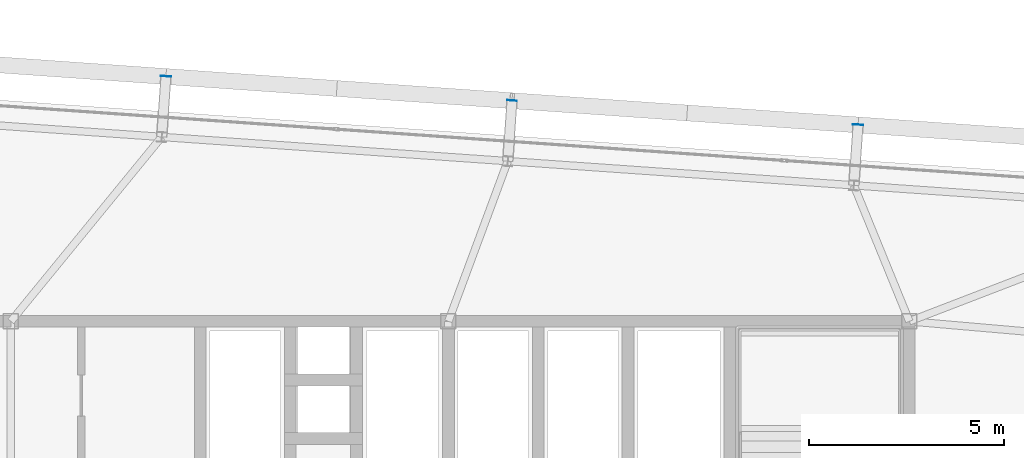
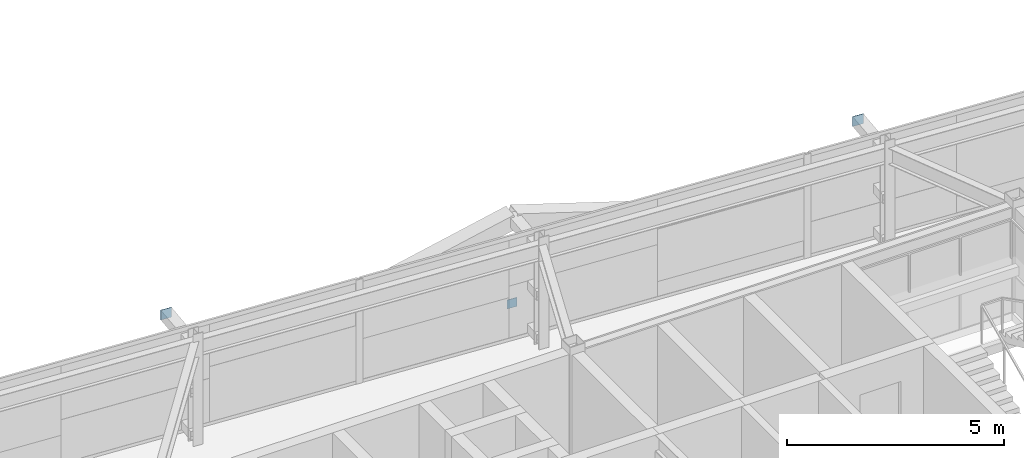
# One storey, part 33 of 39: 3 plates.
"""IFC4 building model written with IfcOpenShell, lengths in metres."""

from ifc_helpers import new_model, si_unit, direction, frame, origin, origin_2d, place, context, subcontext, project, spatial, rectangle, extrude, source, transform, mapped, material, layer, layer_set, type_object, element, save


model = new_model("IFC4")

# Units and contexts
model_context = context("Model", 3, precision=1e-05, world=origin(), true_north=direction((0.0, 1.0)))
body_context = subcontext(model_context, "Body", "Model", "MODEL_VIEW")
ifc_project = project(units=[si_unit("LENGTHUNIT", "METRE"), si_unit("AREAUNIT", "SQUARE_METRE"), si_unit("VOLUMEUNIT", "CUBIC_METRE"), si_unit("PLANEANGLEUNIT", "RADIAN"), si_unit("MASSUNIT", "GRAM", prefix="KILO")], contexts=[model_context])

# Site, building, storey
site_placement = place(None, origin())
site = spatial("IfcSite", under=ifc_project, at=site_placement, CompositionType="ELEMENT")
building_placement = place(site_placement, origin())
building = spatial("IfcBuilding", under=site, at=building_placement, Name="Taldren Reach Tower", CompositionType="ELEMENT")
storey_placement = place(building_placement, frame((0.0, 0.0, 158.199951171875)))
storey = spatial("IfcBuildingStorey", under=building, at=storey_placement, Name="L48", CompositionType="ELEMENT", Elevation=158.199951171875)

# Plates
ifc_material_1 = material(Name="Steel Gr 450 (C450L0)", Category="steel")
ifc_layer_1 = layer(ifc_material_1, 0.011962890625)
ifc_layer_set_1 = layer_set([ifc_layer_1], Name="Steel Gr 450 (C450L0)")
plate_type_1 = type_object("IfcPlateType", Name="PL-CAP-275", PredefinedType="SHEET", material=ifc_layer_set_1)
shared_shape_1 = source(origin(), body_context, "Body", "SweptSolid", [
    extrude(rectangle(XDim=0.27490234375, YDim=0.011962890625, at=origin_2d()), origin(), (0.0, 0.0, 1.0), 0.27490234375),
])
for number, where, z_axis, x_axis, name in (
    (1, (31.969970703125, 38.272216796875, 2.5126953125), (0.0, 0.0, 1.0), (0.99756405026, -0.069756473744, 0.0), "Tie strut end cap plate B3-N3 L48"),
    (2, (49.6865234375, 37.033203125, 2.5126953125), (0.0, 0.0, 1.0), (0.99756405026, -0.069756473744, 0.0), "Tie strut end cap plate B3-N5 L48"),
):
    element("IfcPlate", number, at=place(storey_placement, frame(where, z_axis=z_axis, x_axis=x_axis)), inside=storey, type_object=plate_type_1, Name=name, PredefinedType="SHEET", context=body_context, shape_type="MappedRepresentation", body=[
        mapped(shared_shape_1, transform((0.0, 0.0, 0.0), scale=1.0)),
    ])
ifc_material_2 = material(Name="Steel Gr 350 (C350L0)", Category="steel")
ifc_layer_2 = layer(ifc_material_2, 0.011962890625)
ifc_layer_set_2 = layer_set([ifc_layer_2], Name="Steel Gr 350 (C350L0)")
plate_type_2 = type_object("IfcPlateType", Name="PL-CAP-250", PredefinedType="SHEET", material=ifc_layer_set_2)
shared_shape_2 = source(origin(), body_context, "Body", "SweptSolid", [
    extrude(rectangle(XDim=0.25, YDim=0.011962890625, at=origin_2d()), origin(), (0.0, 0.0, 1.0), 0.25),
])
plate_placement = place(storey_placement, frame((40.828125, 37.652587890625, 0.094970703125), z_axis=(0.0, 0.0, 1.0), x_axis=(0.99756405026, -0.069756473744, 0.0)))
element("IfcPlate", 3, at=plate_placement, inside=storey, type_object=plate_type_2, Name="Tie strut end cap plate B3-N4 L48", PredefinedType="SHEET", context=body_context, shape_type="MappedRepresentation", body=[
    mapped(shared_shape_2, transform((0.0, 0.0, 0.0), scale=1.0)),
])

save(model, "model.ifc")
